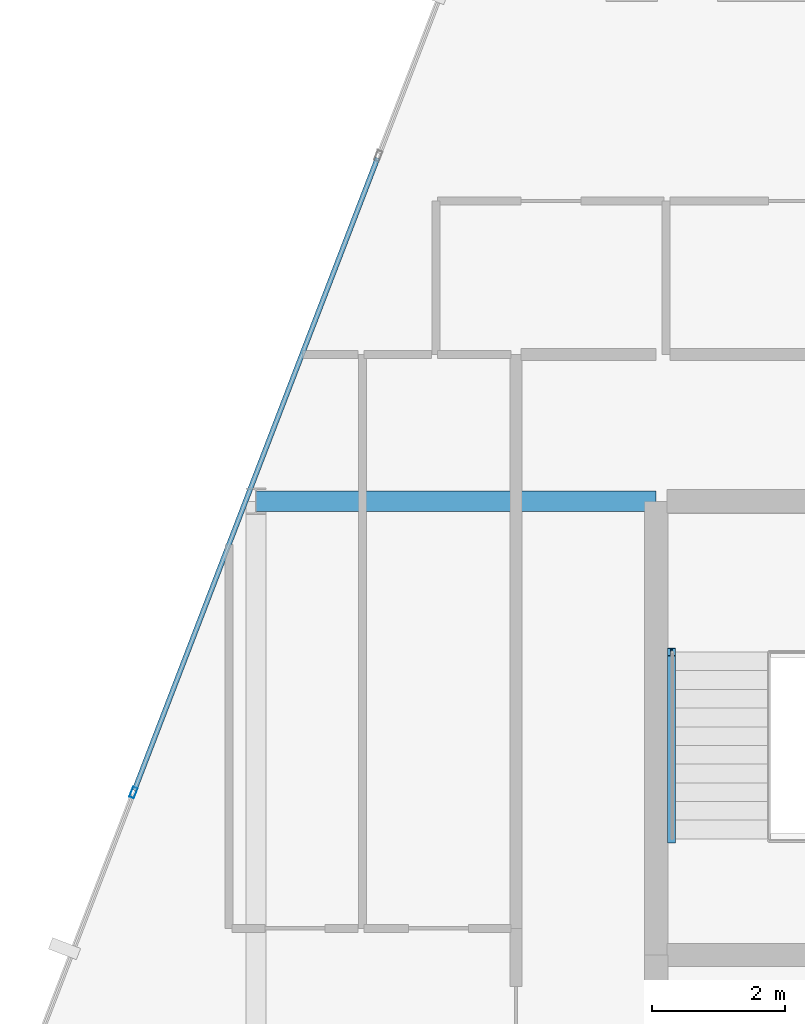
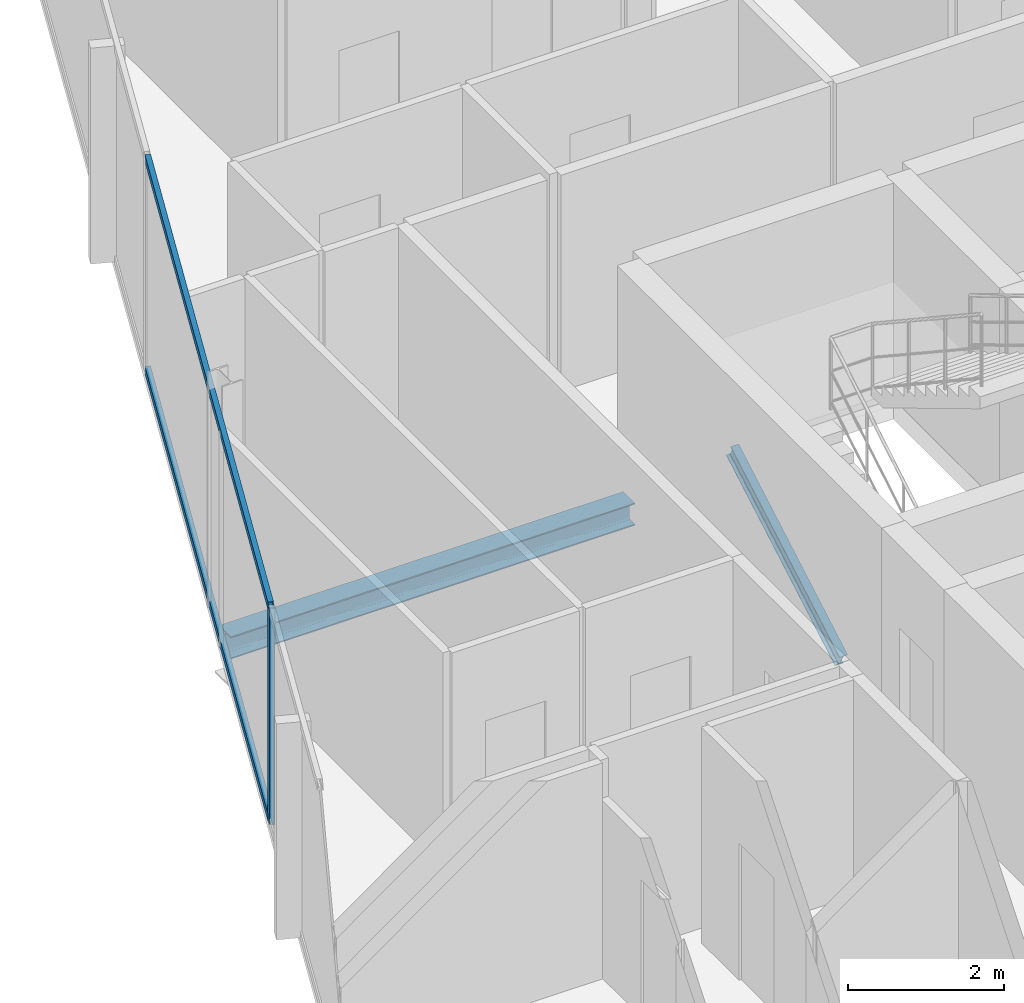
# One storey, part 10 of 28: 4 members, 1 beam, 1 element without a shape of its own.
"""IFC4 building model written with IfcOpenShell, lengths in metres."""

from ifc_helpers import new_model, si_unit, direction, frame, origin, origin_2d, place, context, subcontext, project, spatial, hollow_rectangle, i_section, extrude, material, layer, layer_set, material_profile, profile_set, type_object, element, aggregate, save


model = new_model("IFC4")

# Units and contexts
model_context = context("Model", 3, precision=1e-05, world=origin(), true_north=direction((0.0, 1.0)))
body_context = subcontext(model_context, "Body", "Model", "MODEL_VIEW")
ifc_project = project(units=[si_unit("LENGTHUNIT", "METRE"), si_unit("AREAUNIT", "SQUARE_METRE"), si_unit("VOLUMEUNIT", "CUBIC_METRE"), si_unit("PLANEANGLEUNIT", "RADIAN"), si_unit("MASSUNIT", "GRAM", prefix="KILO")], contexts=[model_context])

# Site, building, storey
site_placement = place(None, origin())
site = spatial("IfcSite", under=ifc_project, at=site_placement, CompositionType="ELEMENT")
building_placement = place(site_placement, origin())
building = spatial("IfcBuilding", under=site, at=building_placement, Name="Keshet Zoharim Tower", CompositionType="ELEMENT")
storey_placement = place(building_placement, frame((0.0, 0.0, 258.39990234375)))
storey = spatial("IfcBuildingStorey", under=building, at=storey_placement, Name="L64", CompositionType="ELEMENT", Elevation=258.39990234375)

# Beam
ifc_material_1 = material(Name="Steel S355", Category="steel")
ifc_material_profile_1 = material_profile(ifc_material_1, i_section(OverallWidth=0.300048828125, OverallDepth=0.35009765625, WebThickness=0.010009765625, FlangeThickness=0.017578125, FilletRadius=0.027099609375, at=origin_2d()), Name="HEA360")
ifc_profile_set_1 = profile_set([ifc_material_profile_1], Name="Steel S355")
beam_type = type_object("IfcBeamType", Name="BM-PRI-HA360", PredefinedType="BEAM", material=ifc_profile_set_1)
beam_placement = place(storey_placement, frame((9.0, 37.89990234375, -0.48486328125), z_axis=(1.0, 0.0, 0.0), x_axis=(0.0, 1.0, 0.0)))
element("IfcBeam", 1, at=beam_placement, inside=storey, type_object=beam_type, Name="L64 Primary Girder X-008", PredefinedType="BEAM", context=body_context, shape_type="SweptSolid", body=[
    extrude(i_section(OverallWidth=0.300048828125, OverallDepth=0.35009765625, WebThickness=0.010009765625, FlangeThickness=0.017578125, FilletRadius=0.027099609375, at=origin_2d()), origin(), (0.0, 0.0, 1.0), 6.0),
])

# Curtain wall, members
ifc_material_2 = material(Name="Aluminium 6063-T6", Category="aluminium")
ifc_layer = layer(ifc_material_2, 0.260009765625)
ifc_layer_set = layer_set([ifc_layer], Name="Aluminium 6063-T6")
curtain_wall_type = type_object("IfcCurtainWallType", Name="CW-SYS-06", PredefinedType="NOTDEFINED", material=ifc_layer_set)
curtain_wall_placement = place(storey_placement, origin())
curtain_wall = element("IfcCurtainWall", 2, at=curtain_wall_placement, inside=storey, type_object=curtain_wall_type, Name="L64 Unitised Curtain Wall 03", PredefinedType="NOTDEFINED")
ifc_material_profile_2 = material_profile(ifc_material_2, hollow_rectangle(XDim=0.074951171875, YDim=0.159912109375, WallThickness=0.00390625, at=origin_2d()), Name="MUL-75x160")
ifc_profile_set_2 = profile_set([ifc_material_profile_2], Name="Aluminium 6063-T6")
member_type_1 = type_object("IfcMemberType", Name="CWM-M15", PredefinedType="MULLION", material=ifc_profile_set_2)
member_1_placement = place(storey_placement, frame((7.1669921875, 33.53466796875, 0.0), z_axis=(0.0, 0.0, 1.0), x_axis=(-0.933341404361, 0.358990003907, 0.0)))
member_1 = element("IfcMember", 3, at=member_1_placement, type_object=member_type_1, Name="CW-06 mullion 2", PredefinedType="MULLION", context=body_context, shape_type="SweptSolid", body=[
    extrude(hollow_rectangle(XDim=0.074951171875, YDim=0.159912109375, WallThickness=0.00390625, at=origin_2d()), origin(), (0.0, 0.0, 1.0), 3.39013671875),
])
ifc_material_profile_3 = material_profile(ifc_material_2, hollow_rectangle(XDim=0.074951171875, YDim=0.1201171875, WallThickness=0.00390625, at=origin_2d()), Name="TRN-75x120")
ifc_profile_set_3 = profile_set([ifc_material_profile_3], Name="Aluminium 6063-T6")
member_type_2 = type_object("IfcMemberType", Name="CWT-T12", PredefinedType="USERDEFINED", material=ifc_profile_set_3)
member_2_placement = place(storey_placement, frame((7.179443359375, 33.5673828125, 0.03515625), z_axis=(0.359003248899, 0.933336309848, 0.0), x_axis=(-0.933336309848, 0.359003248899, 0.0)))
member_2 = element("IfcMember", 4, at=member_2_placement, type_object=member_type_2, Name="CW-06 transom 2.1", ObjectType="TRANSOM", PredefinedType="USERDEFINED", context=body_context, shape_type="SweptSolid", body=[
    extrude(hollow_rectangle(XDim=0.074951171875, YDim=0.1201171875, WallThickness=0.00390625, at=origin_2d()), origin(), (0.0, 0.0, 1.0), 10.153076171875),
])
member_3_placement = place(storey_placement, frame((7.179443359375, 33.5673828125, 3.35498046875), z_axis=(0.359003248899, 0.933336309848, 0.0), x_axis=(-0.933336309848, 0.359003248899, 0.0)))
member_3 = element("IfcMember", 5, at=member_3_placement, type_object=member_type_2, Name="CW-06 transom 2.2", ObjectType="TRANSOM", PredefinedType="USERDEFINED", context=body_context, shape_type="SweptSolid", body=[
    extrude(hollow_rectangle(XDim=0.074951171875, YDim=0.1201171875, WallThickness=0.00390625, at=origin_2d()), origin(), (0.0, 0.0, 1.0), 10.153076171875),
])
aggregate(curtain_wall, [member_1, member_2, member_3])

# Member
ifc_material_profile_4 = material_profile(ifc_material_1, i_section(OverallWidth=0.1201171875, OverallDepth=0.239990234375, WebThickness=0.006103515625, FlangeThickness=0.009765625, FilletRadius=0.014892578125, at=origin_2d()), Name="IPE240")
ifc_profile_set_4 = profile_set([ifc_material_profile_4], Name="Steel S355")
member_type_3 = type_object("IfcMemberType", Name="MB-STRG-IP240", PredefinedType="STRINGER", material=ifc_profile_set_4)
member_4_placement = place(storey_placement, frame((15.22998046875, 32.840087890625, 0.1201171875), z_axis=(0.0, 0.866909569656, 0.498465443174), x_axis=(-1.0, 0.0, 0.0)))
element("IfcMember", 6, at=member_4_placement, inside=storey, type_object=member_type_3, Name="L64 ST-02 Flight Steel Stringer", PredefinedType="STRINGER", context=body_context, shape_type="SweptSolid", body=[
    extrude(i_section(OverallWidth=0.1201171875, OverallDepth=0.239990234375, WebThickness=0.006103515625, FlangeThickness=0.009765625, FilletRadius=0.014892578125, at=origin_2d()), origin(), (0.0, 0.0, 1.0), 3.229736328125),
])

save(model, "model.ifc")
